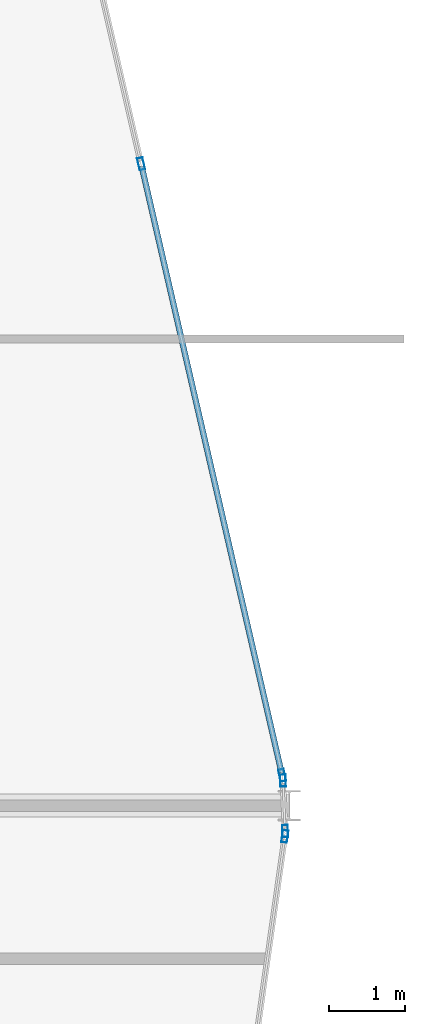
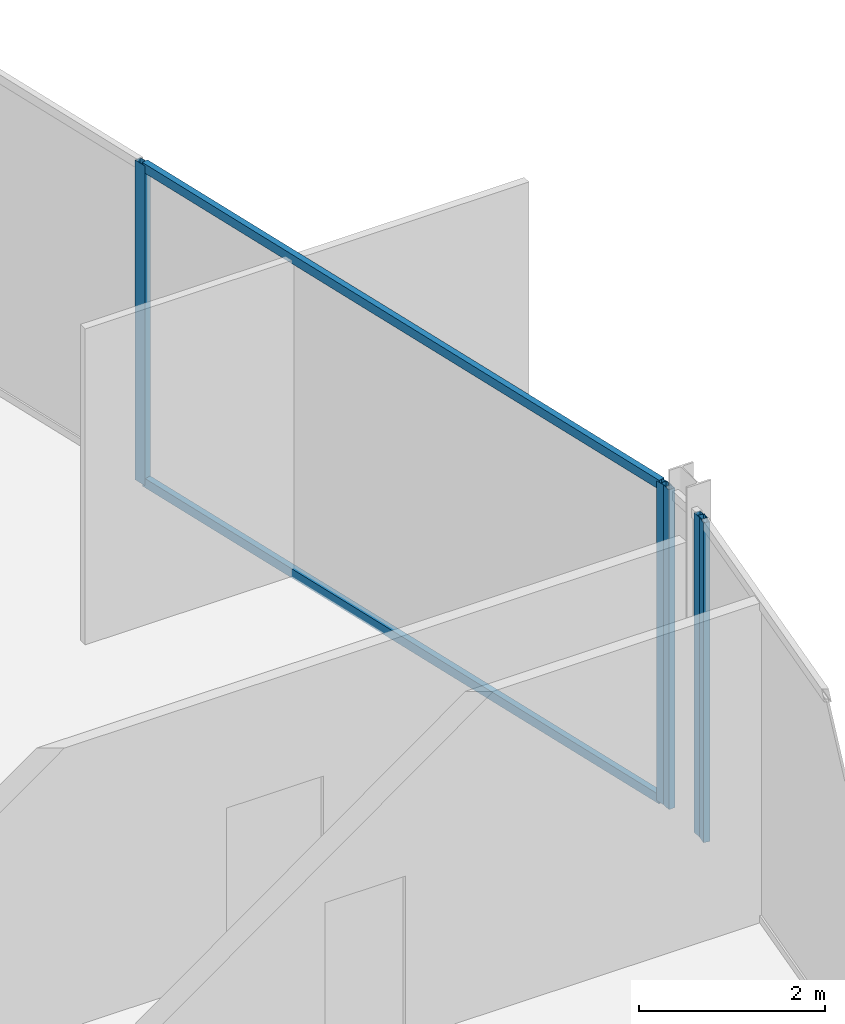
# One storey, part 13 of 24: 7 members, 3 elements without a shape of their own.
"""IFC4 building model written with IfcOpenShell, lengths in metres."""

from ifc_helpers import new_model, si_unit, direction, frame, origin, origin_2d, place, context, subcontext, project, spatial, hollow_rectangle, extrude, material, layer, layer_set, material_profile, profile_set, type_object, element, aggregate, save


model = new_model("IFC4")

# Units and contexts
model_context = context("Model", 3, precision=1e-05, world=origin(), true_north=direction((0.0, 1.0)))
body_context = subcontext(model_context, "Body", "Model", "MODEL_VIEW")
ifc_project = project(units=[si_unit("LENGTHUNIT", "METRE"), si_unit("AREAUNIT", "SQUARE_METRE"), si_unit("VOLUMEUNIT", "CUBIC_METRE"), si_unit("PLANEANGLEUNIT", "RADIAN"), si_unit("MASSUNIT", "GRAM", prefix="KILO")], contexts=[model_context])

# Site, building, storey
site_placement = place(None, origin())
site = spatial("IfcSite", under=ifc_project, at=site_placement, CompositionType="ELEMENT")
building_placement = place(site_placement, origin())
building = spatial("IfcBuilding", under=site, at=building_placement, Name="Keshet Zoharim Tower", CompositionType="ELEMENT")
storey_placement = place(building_placement, frame((0.0, 0.0, 299.10009765625)))
storey = spatial("IfcBuildingStorey", under=building, at=storey_placement, Name="L75", CompositionType="ELEMENT", Elevation=299.10009765625)

# Curtain wall, members
ifc_material = material(Name="Aluminium 6063-T6", Category="aluminium")
ifc_layer = layer(ifc_material, 0.260009765625)
ifc_layer_set = layer_set([ifc_layer], Name="Aluminium 6063-T6")
curtain_wall_type = type_object("IfcCurtainWallType", Name="CW-SYS-06", PredefinedType="NOTDEFINED", material=ifc_layer_set)
curtain_wall_1_placement = place(storey_placement, origin())
curtain_wall_1 = element("IfcCurtainWall", 1, at=curtain_wall_1_placement, inside=storey, type_object=curtain_wall_type, Name="L75 Unitised Curtain Wall 07", PredefinedType="NOTDEFINED")
ifc_material_profile_1 = material_profile(ifc_material, hollow_rectangle(XDim=0.074951171875, YDim=0.159912109375, WallThickness=0.00390625, at=origin_2d()), Name="MUL-75x160")
ifc_profile_set_1 = profile_set([ifc_material_profile_1], Name="Aluminium 6063-T6")
member_type_1 = type_object("IfcMemberType", Name="CWM-M15", PredefinedType="MULLION", material=ifc_profile_set_1)
member_1_placement = place(storey_placement, frame((43.063232421875, 36.291259765625, 0.0), z_axis=(0.0, 0.0, 1.0), x_axis=(0.974398012932, 0.224829963294, 0.0)))
member_1 = element("IfcMember", 2, at=member_1_placement, type_object=member_type_1, Name="CW-06 mullion 3", PredefinedType="MULLION", context=body_context, shape_type="SweptSolid", body=[
    extrude(hollow_rectangle(XDim=0.074951171875, YDim=0.159912109375, WallThickness=0.00390625, at=origin_2d()), origin(), (0.0, 0.0, 1.0), 4.18994140625),
])
member_2_placement = place(storey_placement, frame((44.908203125, 28.296142578125, 0.0), z_axis=(0.0, 0.0, 1.0), x_axis=(0.974398012932, 0.224829963294, 0.0)))
member_2 = element("IfcMember", 3, at=member_2_placement, type_object=member_type_1, Name="CW-06 mullion 4", PredefinedType="MULLION", context=body_context, shape_type="SweptSolid", body=[
    extrude(hollow_rectangle(XDim=0.074951171875, YDim=0.159912109375, WallThickness=0.00390625, at=origin_2d()), origin(), (0.0, 0.0, 1.0), 4.18994140625),
])

curtain_wall_2_placement = place(storey_placement, origin())
curtain_wall_2 = element("IfcCurtainWall", 4, at=curtain_wall_2_placement, inside=storey, type_object=curtain_wall_type, Name="L75 Unitised Curtain Wall 08", PredefinedType="NOTDEFINED")
member_3_placement = place(storey_placement, frame((44.91748046875, 28.22705078125, 0.0), z_axis=(0.0, 0.0, 1.0), x_axis=(0.999040601801, 0.043793560626, 0.0)))
member_3 = element("IfcMember", 5, at=member_3_placement, type_object=member_type_1, Name="CW-06 mullion 1", PredefinedType="MULLION", context=body_context, shape_type="SweptSolid", body=[
    extrude(hollow_rectangle(XDim=0.074951171875, YDim=0.159912109375, WallThickness=0.00390625, at=origin_2d()), origin(), (0.0, 0.0, 1.0), 4.18994140625),
])
member_4_placement = place(storey_placement, frame((44.946533203125, 27.56689453125, 0.0), z_axis=(0.0, 0.0, 1.0), x_axis=(0.999040601801, 0.043793560626, 0.0)))
member_4 = element("IfcMember", 6, at=member_4_placement, type_object=member_type_1, Name="CW-06 mullion 2", PredefinedType="MULLION", context=body_context, shape_type="SweptSolid", body=[
    extrude(hollow_rectangle(XDim=0.074951171875, YDim=0.159912109375, WallThickness=0.00390625, at=origin_2d()), origin(), (0.0, 0.0, 1.0), 4.18994140625),
])
aggregate(curtain_wall_2, [member_3, member_4])

# Curtain wall, member
curtain_wall_3_placement = place(storey_placement, origin())
curtain_wall_3 = element("IfcCurtainWall", 7, at=curtain_wall_3_placement, inside=storey, type_object=curtain_wall_type, Name="L75 Unitised Curtain Wall 09", PredefinedType="NOTDEFINED")
member_5_placement = place(storey_placement, frame((44.943115234375, 27.497314453125, 0.0), z_axis=(0.0, 0.0, 1.0), x_axis=(0.990132057422, -0.140137464177, 0.0)))
member_5 = element("IfcMember", 8, at=member_5_placement, type_object=member_type_1, Name="CW-06 mullion 1", PredefinedType="MULLION", context=body_context, shape_type="SweptSolid", body=[
    extrude(hollow_rectangle(XDim=0.074951171875, YDim=0.159912109375, WallThickness=0.00390625, at=origin_2d()), origin(), (0.0, 0.0, 1.0), 4.18994140625),
])
aggregate(curtain_wall_3, [member_5])

# Member
ifc_material_profile_2 = material_profile(ifc_material, hollow_rectangle(XDim=0.074951171875, YDim=0.1201171875, WallThickness=0.00390625, at=origin_2d()), Name="TRN-75x120")
ifc_profile_set_2 = profile_set([ifc_material_profile_2], Name="Aluminium 6063-T6")
member_type_2 = type_object("IfcMemberType", Name="CWT-T12", PredefinedType="USERDEFINED", material=ifc_profile_set_2)
member_6_placement = place(storey_placement, frame((43.0712890625, 36.25732421875, 0.034912109375), z_axis=(0.224806904107, -0.974403333259, 0.0), x_axis=(0.974403333259, 0.224806904107, 0.0)))
member_6 = element("IfcMember", 9, at=member_6_placement, type_object=member_type_2, Name="CW-06 transom 3.1", ObjectType="TRANSOM", PredefinedType="USERDEFINED", context=body_context, shape_type="SweptSolid", body=[
    extrude(hollow_rectangle(XDim=0.074951171875, YDim=0.1201171875, WallThickness=0.00390625, at=origin_2d()), origin(), (0.0, 0.0, 1.0), 8.13525390625),
])

member_7_placement = place(storey_placement, frame((43.0712890625, 36.25732421875, 4.15478515625), z_axis=(0.224806904107, -0.974403333259, 0.0), x_axis=(0.974403333259, 0.224806904107, 0.0)))
member_7 = element("IfcMember", 10, at=member_7_placement, type_object=member_type_2, Name="CW-06 transom 3.2", ObjectType="TRANSOM", PredefinedType="USERDEFINED", context=body_context, shape_type="SweptSolid", body=[
    extrude(hollow_rectangle(XDim=0.074951171875, YDim=0.1201171875, WallThickness=0.00390625, at=origin_2d()), origin(), (0.0, 0.0, 1.0), 8.13525390625),
])

aggregate(curtain_wall_1, [member_1, member_2, member_6, member_7])

save(model, "model.ifc")
